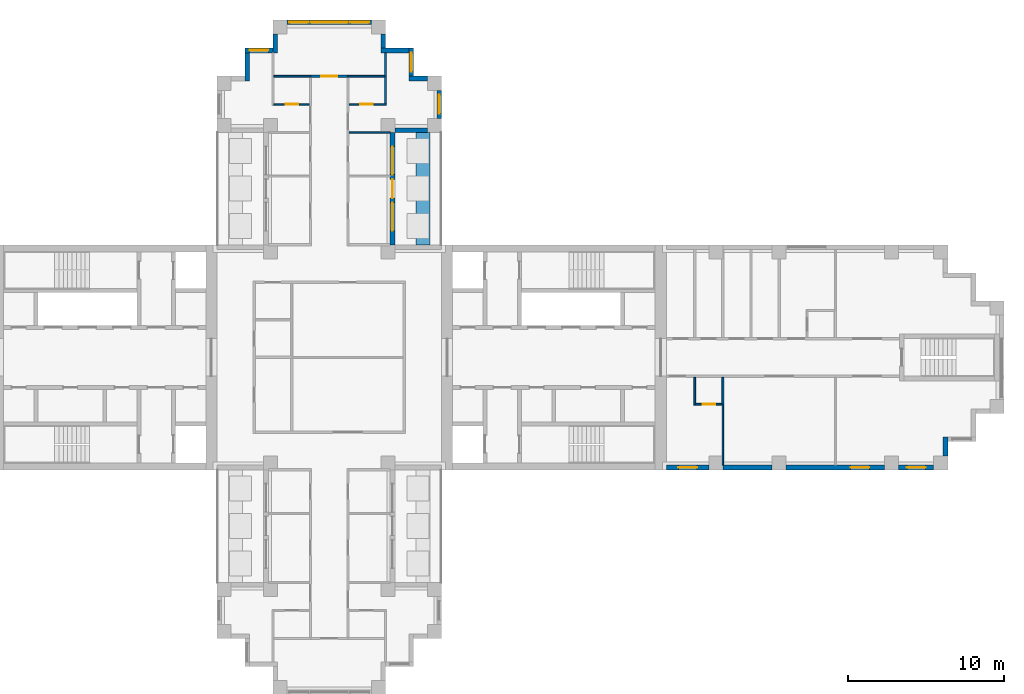
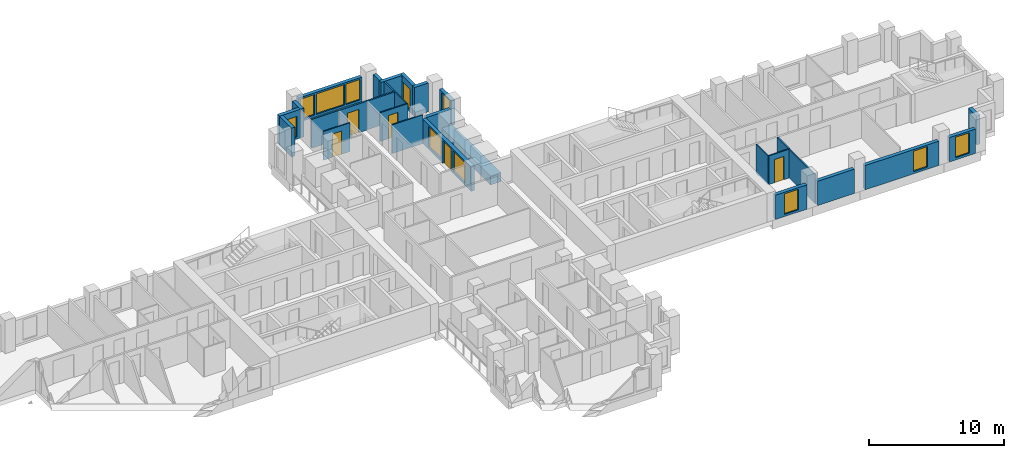
# One storey, part 8 of 12: 28 walls, 11 windows, 5 doors, 16 openings.
"""IFC4 building model written with IfcOpenShell, lengths in metres."""

from ifc_helpers import new_model, si_unit, direction, frame, frame_2d, origin, place, context, subcontext, project, spatial, rectangle, extrude, material, layer, layer_set, type_object, element, fill, save


model = new_model("IFC4")

# Units and contexts
model_context = context("Model", 3, precision=1e-05, world=origin(), true_north=direction((0.0, 1.0)))
body_context = subcontext(model_context, "Body", "Model", "MODEL_VIEW")
ifc_project = project(units=[si_unit("LENGTHUNIT", "METRE"), si_unit("AREAUNIT", "SQUARE_METRE"), si_unit("VOLUMEUNIT", "CUBIC_METRE"), si_unit("PLANEANGLEUNIT", "RADIAN"), si_unit("MASSUNIT", "GRAM", prefix="KILO")], contexts=[model_context])

# Site, building, storey
site_placement = place(None, origin())
site = spatial("IfcSite", under=ifc_project, at=site_placement, CompositionType="ELEMENT")
building_placement = place(site_placement, origin())
building = spatial("IfcBuilding", under=site, at=building_placement, Name="Fustian Cross Tower", CompositionType="ELEMENT")
storey_placement = place(building_placement, frame((0.0, 0.0, 147.300048828125)))
storey = spatial("IfcBuildingStorey", under=building, at=storey_placement, Name="L46", CompositionType="ELEMENT", Elevation=147.300048828125)

# Wall, opening, door
ifc_material_1 = material(Name="Plasterboard on steel stud", Category="steel")
ifc_layer_1 = layer(ifc_material_1, 0.14990234375)
ifc_layer_set_1 = layer_set([ifc_layer_1], Name="Plasterboard on steel stud")
wall_type_1 = type_object("IfcWallType", Name="COMPARTMENT WALL 150 EI 60", PredefinedType="PARTITIONING", material=ifc_layer_set_1)
wall_1_placement = place(storey_placement, frame((-1.199951171875, 18.0, 0.0), z_axis=(0.0, 0.0, 1.0), x_axis=(1.0, 0.0, 0.0)))
wall_1 = element("IfcWall", 1, at=wall_1_placement, inside=storey, type_object=wall_type_1, Name="Partition 39", PredefinedType="PARTITIONING", context=body_context, shape_type="SweptSolid", body=[
    extrude(rectangle(XDim=2.39990234375, YDim=0.14990234375, at=frame_2d((1.199951171875, 0.0))), origin(), (0.0, 0.0, 1.0), 2.599853515625),
])
opening_1_placement = place(wall_1_placement, frame((0.699951171875, 0.0, 0.0)))
opening_1 = element("IfcOpeningElement", 2, at=opening_1_placement, cuts=wall_1, Name="Opening D21017", PredefinedType="OPENING", context=body_context, shape_type="SweptSolid", body=[
    extrude(rectangle(XDim=1.0, YDim=2.10009765625, at=frame_2d((0.5, 1.050048828125))), frame((0.0, 0.0849609375, 0.0), z_axis=(0.0, -1.0, 0.0), x_axis=(1.0, 0.0, 0.0)), (0.0, 0.0, 1.0), 0.169921875),
])
ifc_material_2 = material(Name="Timber fire door set", Category="wood")
door_type_1 = type_object("IfcDoorType", Name="FIRE SWING DOOR 1000 FD30S", OperationType="SINGLE_SWING_LEFT", PredefinedType="DOOR", material=ifc_material_2)
door_1_placement = place(opening_1_placement, origin())
door_1 = element("IfcDoor", 3, at=door_1_placement, inside=storey, type_object=door_type_1, Name="Door D21017", OperationType="SINGLE_SWING_LEFT", OverallHeight=2.10009765625, OverallWidth=1.0, PredefinedType="DOOR", context=body_context, shape_type="SweptSolid", body=[
    extrude(rectangle(XDim=1.0, YDim=2.10009765625, at=frame_2d((0.5, 1.050048828125))), frame((0.0, 0.02490234375, 0.0), z_axis=(0.0, -1.0, 0.0), x_axis=(1.0, 0.0, 0.0)), (0.0, 0.0, 1.0), 0.050048828125),
])
fill(opening_1, door_1)

ifc_material_3 = material(Name="Plasterboard on steel stud", Category="steel")
ifc_layer_2 = layer(ifc_material_3, 0.10009765625)
ifc_layer_set_2 = layer_set([ifc_layer_2], Name="Plasterboard on steel stud")
wall_type_2 = type_object("IfcWallType", Name="PARTITION 100 STUD", PredefinedType="PARTITIONING", material=ifc_layer_set_2)
wall_2_placement = place(storey_placement, frame((-3.550048828125, 16.199951171875, 0.0), z_axis=(0.0, 0.0, 1.0), x_axis=(1.0, 0.0, 0.0)))
wall_2 = element("IfcWall", 4, at=wall_2_placement, inside=storey, type_object=wall_type_2, Name="Partition 31", PredefinedType="PARTITIONING", context=body_context, shape_type="SweptSolid", body=[
    extrude(rectangle(XDim=2.275146484375, YDim=0.10009765625, at=frame_2d((1.1376953125, 0.0))), origin(), (0.0, 0.0, 1.0), 2.599853515625),
])
opening_2_placement = place(wall_2_placement, frame((0.75, 0.0, 0.0)))
opening_2 = element("IfcOpeningElement", 5, at=opening_2_placement, cuts=wall_2, Name="Opening D21020", PredefinedType="OPENING", context=body_context, shape_type="SweptSolid", body=[
    extrude(rectangle(XDim=0.800048828125, YDim=2.10009765625, at=frame_2d((0.39990234375, 1.050048828125))), frame((0.0, 0.06005859375, 0.0), z_axis=(0.0, -1.0, 0.0), x_axis=(1.0, 0.0, 0.0)), (0.0, 0.0, 1.0), 0.1201171875),
])
ifc_material_4 = material(Name="Painted timber", Category="wood")
door_type_2 = type_object("IfcDoorType", Name="SWING DOOR 800", OperationType="SINGLE_SWING_LEFT", PredefinedType="DOOR", material=ifc_material_4)
door_2_placement = place(opening_2_placement, origin())
door_2 = element("IfcDoor", 6, at=door_2_placement, inside=storey, type_object=door_type_2, Name="Door D21020", OperationType="SINGLE_SWING_LEFT", OverallHeight=2.10009765625, OverallWidth=0.800048828125, PredefinedType="DOOR", context=body_context, shape_type="SweptSolid", body=[
    extrude(rectangle(XDim=0.800048828125, YDim=2.10009765625, at=frame_2d((0.39990234375, 1.050048828125))), frame((0.0, 0.02490234375, 0.0), z_axis=(0.0, -1.0, 0.0), x_axis=(1.0, 0.0, 0.0)), (0.0, 0.0, 1.0), 0.050048828125),
])
fill(opening_2, door_2)

# Wall
wall_3_placement = place(storey_placement, frame((1.27490234375, 14.39990234375, 0.0), z_axis=(0.0, 0.0, 1.0), x_axis=(1.0, 0.0, 0.0)))
element("IfcWall", 7, at=wall_3_placement, inside=storey, type_object=wall_type_2, Name="Partition 49", PredefinedType="PARTITIONING", context=body_context, shape_type="SweptSolid", body=[
    extrude(rectangle(XDim=2.625, YDim=0.10009765625, at=frame_2d((1.3125, 0.0))), origin(), (0.0, 0.0, 1.0), 2.599853515625),
])

# Wall, opening, door
wall_4_placement = place(storey_placement, frame((1.27490234375, 16.199951171875, 0.0), z_axis=(0.0, 0.0, 1.0), x_axis=(1.0, 0.0, 0.0)))
wall_4 = element("IfcWall", 8, at=wall_4_placement, inside=storey, type_object=wall_type_2, Name="Partition 50", PredefinedType="PARTITIONING", context=body_context, shape_type="SweptSolid", body=[
    extrude(rectangle(XDim=2.375, YDim=0.10009765625, at=frame_2d((1.1875, 0.0))), origin(), (0.0, 0.0, 1.0), 2.599853515625),
])
opening_3_placement = place(wall_4_placement, frame((0.72509765625, 0.0, 0.0)))
opening_3 = element("IfcOpeningElement", 9, at=opening_3_placement, cuts=wall_4, Name="Opening D21024", PredefinedType="OPENING", context=body_context, shape_type="SweptSolid", body=[
    extrude(rectangle(XDim=0.800048828125, YDim=2.10009765625, at=frame_2d((0.39990234375, 1.050048828125))), frame((0.0, 0.06005859375, 0.0), z_axis=(0.0, -1.0, 0.0), x_axis=(1.0, 0.0, 0.0)), (0.0, 0.0, 1.0), 0.1201171875),
])
door_3_placement = place(opening_3_placement, origin())
door_3 = element("IfcDoor", 10, at=door_3_placement, inside=storey, type_object=door_type_2, Name="Door D21024", OperationType="SINGLE_SWING_LEFT", OverallHeight=2.10009765625, OverallWidth=0.800048828125, PredefinedType="DOOR", context=body_context, shape_type="SweptSolid", body=[
    extrude(rectangle(XDim=0.800048828125, YDim=2.10009765625, at=frame_2d((0.39990234375, 1.050048828125))), frame((0.0, 0.02490234375, 0.0), z_axis=(0.0, -1.0, 0.0), x_axis=(1.0, 0.0, 0.0)), (0.0, 0.0, 1.0), 0.050048828125),
])
fill(opening_3, door_3)

# Walls
wall_5_placement = place(storey_placement, frame((3.60009765625, 16.25, 0.0), z_axis=(0.0, 0.0, 1.0), x_axis=(0.0, 1.0, 0.0)))
element("IfcWall", 11, at=wall_5_placement, inside=storey, type_object=wall_type_2, Name="Partition 53", PredefinedType="PARTITIONING", context=body_context, shape_type="SweptSolid", body=[
    extrude(rectangle(XDim=3.25, YDim=0.10009765625, at=frame_2d((1.625, 0.0))), origin(), (0.0, 0.0, 1.0), 2.599853515625),
])
wall_6_placement = place(storey_placement, frame((23.39990234375, -3.050048828125, 0.0), z_axis=(0.0, 0.0, 1.0), x_axis=(0.0, 1.0, 0.0)))
element("IfcWall", 12, at=wall_6_placement, inside=storey, type_object=wall_type_2, Name="Partition 57", PredefinedType="PARTITIONING", context=body_context, shape_type="SweptSolid", body=[
    extrude(rectangle(XDim=1.775146484375, YDim=0.10009765625, at=frame_2d((0.8876953125, 0.0))), origin(), (0.0, 0.0, 1.0), 2.599853515625),
])

# Wall, opening, door
wall_7_placement = place(storey_placement, frame((23.449951171875, -3.0, 0.0), z_axis=(0.0, 0.0, 1.0), x_axis=(1.0, 0.0, 0.0)))
wall_7 = element("IfcWall", 13, at=wall_7_placement, inside=storey, type_object=wall_type_2, Name="Partition 58", PredefinedType="PARTITIONING", context=body_context, shape_type="SweptSolid", body=[
    extrude(rectangle(XDim=1.6875, YDim=0.10009765625, at=frame_2d((0.84375, 0.0))), origin(), (0.0, 0.0, 1.0), 2.599853515625),
])
opening_4_placement = place(wall_7_placement, frame((0.449951171875, 0.0, 0.0)))
opening_4 = element("IfcOpeningElement", 14, at=opening_4_placement, cuts=wall_7, Name="Opening D21013", PredefinedType="OPENING", context=body_context, shape_type="SweptSolid", body=[
    extrude(rectangle(XDim=0.800048828125, YDim=2.10009765625, at=frame_2d((0.39990234375, 1.050048828125))), frame((0.0, 0.06005859375, 0.0), z_axis=(0.0, -1.0, 0.0), x_axis=(1.0, 0.0, 0.0)), (0.0, 0.0, 1.0), 0.1201171875),
])
door_4_placement = place(opening_4_placement, origin())
door_4 = element("IfcDoor", 15, at=door_4_placement, inside=storey, type_object=door_type_2, Name="Door D21013", OperationType="SINGLE_SWING_RIGHT", OverallHeight=2.10009765625, OverallWidth=0.800048828125, PredefinedType="DOOR", context=body_context, shape_type="SweptSolid", body=[
    extrude(rectangle(XDim=0.800048828125, YDim=2.10009765625, at=frame_2d((0.39990234375, 1.050048828125))), frame((0.0, 0.02490234375, 0.0), z_axis=(0.0, -1.0, 0.0), x_axis=(1.0, 0.0, 0.0)), (0.0, 0.0, 1.0), 0.050048828125),
])
fill(opening_4, door_4)

# Walls
wall_8_placement = place(storey_placement, frame((25.199951171875, -6.89990234375, 0.0), z_axis=(0.0, 0.0, 1.0), x_axis=(0.0, 1.0, 0.0)))
element("IfcWall", 16, at=wall_8_placement, inside=storey, type_object=wall_type_2, Name="Partition 60", PredefinedType="PARTITIONING", context=body_context, shape_type="SweptSolid", body=[
    extrude(rectangle(XDim=3.89990234375, YDim=0.10009765625, at=frame_2d((1.949951171875, 0.0))), origin(), (0.0, 0.0, 1.0), 2.599853515625),
])
ifc_material_5 = material(Name="Concrete C40/50", Category="concrete")
ifc_layer_3 = layer(ifc_material_5, 0.89990234375)
ifc_layer_set_3 = layer_set([ifc_layer_3], Name="Concrete C40/50")
wall_type_3 = type_object("IfcWallType", Name="PK1 PLANTER 900", PredefinedType="PARAPET", material=ifc_layer_set_3)
wall_9_placement = place(storey_placement, frame((6.0, 7.199951171875, 0.0), z_axis=(0.0, 0.0, 1.0), x_axis=(0.0, 1.0, 0.0)))
element("IfcWall", 17, at=wall_9_placement, inside=storey, type_object=wall_type_3, Name="PLANTER", PredefinedType="PARAPET", context=body_context, shape_type="SweptSolid", body=[
    extrude(rectangle(XDim=7.199951171875, YDim=0.89990234375, at=frame_2d((3.60009765625, 0.0))), origin(), (0.0, 0.0, 1.0), 0.800048828125),
])
ifc_material_6 = material(Name="Plasterboard on steel stud", Category="steel")
ifc_layer_4 = layer(ifc_material_6, 0.125)
ifc_layer_set_4 = layer_set([ifc_layer_4], Name="Plasterboard on steel stud")
wall_type_4 = type_object("IfcWallType", Name="WET WALL 125 STUD", PredefinedType="PARTITIONING", material=ifc_layer_set_4)
for number, where, z_axis, x_axis, name in (
    (18, (-3.550048828125, 18.0, 0.0), (0.0, 0.0, 1.0), (1.0, 0.0, 0.0), "Partition 32"),
    (19, (1.199951171875, 18.0, 0.0), (0.0, 0.0, 1.0), (1.0, 0.0, 0.0), "Partition 51"),
):
    element("IfcWall", number, at=place(storey_placement, frame(where, z_axis=z_axis, x_axis=x_axis)), inside=storey, type_object=wall_type_4, Name=name, PredefinedType="PARTITIONING", context=body_context, shape_type="SweptSolid", body=[
        extrude(rectangle(XDim=2.35009765625, YDim=0.125, at=frame_2d((1.175048828125, 0.0))), origin(), (0.0, 0.0, 1.0), 2.599853515625),
    ])
wall_10_placement = place(storey_placement, frame((25.199951171875, -3.0, 0.0), z_axis=(0.0, 0.0, 1.0), x_axis=(0.0, 1.0, 0.0)))
element("IfcWall", 20, at=wall_10_placement, inside=storey, type_object=wall_type_4, Name="Partition 61", PredefinedType="PARTITIONING", context=body_context, shape_type="SweptSolid", body=[
    extrude(rectangle(XDim=1.72509765625, YDim=0.125, at=frame_2d((0.862548828125, 0.0))), origin(), (0.0, 0.0, 1.0), 2.599853515625),
])

# Wall, opening, window
ifc_material_7 = material(Name="Dark aluminium cladding on insulated backing wall", Category="aluminium")
ifc_layer_5 = layer(ifc_material_7, 0.300048828125)
ifc_layer_set_5 = layer_set([ifc_layer_5], Name="Dark aluminium cladding on insulated backing wall")
wall_type_5 = type_object("IfcWallType", Name="XW1 EXTERNAL WALL 300", PredefinedType="SOLIDWALL", material=ifc_layer_set_5)
wall_11_placement = place(storey_placement, frame((21.60009765625, -7.050048828125, 0.0), z_axis=(0.0, 0.0, 1.0), x_axis=(1.0, 0.0, 0.0)))
wall_11 = element("IfcWall", 21, at=wall_11_placement, inside=storey, type_object=wall_type_5, Name="External wall", PredefinedType="SOLIDWALL", context=body_context, shape_type="SweptSolid", body=[
    extrude(rectangle(XDim=2.699951171875, YDim=0.300048828125, at=frame_2d((1.35009765625, 0.0))), origin(), (0.0, 0.0, 1.0), 2.199951171875),
])
opening_5_placement = place(wall_11_placement, frame((0.75, 0.0, 0.199951171875)))
opening_5 = element("IfcOpeningElement", 22, at=opening_5_placement, cuts=wall_11, Name="Opening WN3", PredefinedType="OPENING", context=body_context, shape_type="SweptSolid", body=[
    extrude(rectangle(XDim=1.199951171875, YDim=1.85009765625, at=frame_2d((0.60009765625, 0.925048828125))), frame((0.0, 0.159912109375, 0.0), z_axis=(0.0, -1.0, 0.0), x_axis=(1.0, 0.0, 0.0)), (0.0, 0.0, 1.0), 0.320068359375),
])
ifc_material_8 = material(Name="Dark anodised aluminium and double glazing", Category="aluminium")
window_type_1 = type_object("IfcWindowType", Name="WN3 WINDOW 1200X1850", PartitioningType="SINGLE_PANEL", PredefinedType="WINDOW", material=ifc_material_8)
window_1_placement = place(opening_5_placement, origin())
window_1 = element("IfcWindow", 23, at=window_1_placement, inside=storey, type_object=window_type_1, Name="Window", OverallHeight=1.85009765625, OverallWidth=1.199951171875, PartitioningType="SINGLE_PANEL", PredefinedType="WINDOW", context=body_context, shape_type="SweptSolid", body=[
    extrude(rectangle(XDim=1.199951171875, YDim=1.85009765625, at=frame_2d((0.60009765625, 0.925048828125))), frame((0.0, 0.030029296875, 0.0), z_axis=(0.0, -1.0, 0.0), x_axis=(1.0, 0.0, 0.0)), (0.0, 0.0, 1.0), 0.06005859375),
])
fill(opening_5, window_1)

# Wall
wall_12_placement = place(storey_placement, frame((25.199951171875, -7.050048828125, 0.0), z_axis=(0.0, 0.0, 1.0), x_axis=(1.0, 0.0, 0.0)))
element("IfcWall", 24, at=wall_12_placement, inside=storey, type_object=wall_type_5, Name="External wall", PredefinedType="SOLIDWALL", context=body_context, shape_type="SweptSolid", body=[
    extrude(rectangle(XDim=3.150146484375, YDim=0.300048828125, at=frame_2d((1.5751953125, 0.0))), origin(), (0.0, 0.0, 1.0), 2.199951171875),
])

# Wall, opening, window
wall_13_placement = place(storey_placement, frame((29.25, -7.050048828125, 0.0), z_axis=(0.0, 0.0, 1.0), x_axis=(1.0, 0.0, 0.0)))
wall_13 = element("IfcWall", 25, at=wall_13_placement, inside=storey, type_object=wall_type_5, Name="External wall", PredefinedType="SOLIDWALL", context=body_context, shape_type="SweptSolid", body=[
    extrude(rectangle(XDim=6.300048828125, YDim=0.300048828125, at=frame_2d((3.14990234375, 0.0))), origin(), (0.0, 0.0, 1.0), 2.199951171875),
])
opening_6_placement = place(wall_13_placement, frame((4.125, 0.0, 0.199951171875)))
opening_6 = element("IfcOpeningElement", 26, at=opening_6_placement, cuts=wall_13, Name="Opening WN3", PredefinedType="OPENING", context=body_context, shape_type="SweptSolid", body=[
    extrude(rectangle(XDim=1.199951171875, YDim=1.85009765625, at=frame_2d((0.60009765625, 0.925048828125))), frame((0.0, 0.159912109375, 0.0), z_axis=(0.0, -1.0, 0.0), x_axis=(1.0, 0.0, 0.0)), (0.0, 0.0, 1.0), 0.320068359375),
])
window_2_placement = place(opening_6_placement, origin())
window_2 = element("IfcWindow", 27, at=window_2_placement, inside=storey, type_object=window_type_1, Name="Window", OverallHeight=1.85009765625, OverallWidth=1.199951171875, PartitioningType="SINGLE_PANEL", PredefinedType="WINDOW", context=body_context, shape_type="SweptSolid", body=[
    extrude(rectangle(XDim=1.199951171875, YDim=1.85009765625, at=frame_2d((0.60009765625, 0.925048828125))), frame((0.0, 0.030029296875, 0.0), z_axis=(0.0, -1.0, 0.0), x_axis=(1.0, 0.0, 0.0)), (0.0, 0.0, 1.0), 0.06005859375),
])
fill(opening_6, window_2)

wall_14_placement = place(storey_placement, frame((36.449951171875, -7.050048828125, 0.0), z_axis=(0.0, 0.0, 1.0), x_axis=(1.0, 0.0, 0.0)))
wall_14 = element("IfcWall", 28, at=wall_14_placement, inside=storey, type_object=wall_type_5, Name="External wall", PredefinedType="SOLIDWALL", context=body_context, shape_type="SweptSolid", body=[
    extrude(rectangle(XDim=2.25, YDim=0.300048828125, at=frame_2d((1.125, 0.0))), origin(), (0.0, 0.0, 1.0), 2.199951171875),
])
opening_7_placement = place(wall_14_placement, frame((0.52490234375, 0.0, 0.199951171875)))
opening_7 = element("IfcOpeningElement", 29, at=opening_7_placement, cuts=wall_14, Name="Opening WN3", PredefinedType="OPENING", context=body_context, shape_type="SweptSolid", body=[
    extrude(rectangle(XDim=1.199951171875, YDim=1.85009765625, at=frame_2d((0.60009765625, 0.925048828125))), frame((0.0, 0.159912109375, 0.0), z_axis=(0.0, -1.0, 0.0), x_axis=(1.0, 0.0, 0.0)), (0.0, 0.0, 1.0), 0.320068359375),
])
window_3_placement = place(opening_7_placement, origin())
window_3 = element("IfcWindow", 30, at=window_3_placement, inside=storey, type_object=window_type_1, Name="Window", OverallHeight=1.85009765625, OverallWidth=1.199951171875, PartitioningType="SINGLE_PANEL", PredefinedType="WINDOW", context=body_context, shape_type="SweptSolid", body=[
    extrude(rectangle(XDim=1.199951171875, YDim=1.85009765625, at=frame_2d((0.60009765625, 0.925048828125))), frame((0.0, 0.030029296875, 0.0), z_axis=(0.0, -1.0, 0.0), x_axis=(1.0, 0.0, 0.0)), (0.0, 0.0, 1.0), 0.06005859375),
])
fill(opening_7, window_3)

# Wall
wall_15_placement = place(storey_placement, frame((39.449951171875, -6.300048828125, 0.0), z_axis=(0.0, 0.0, 1.0), x_axis=(0.0, 1.0, 0.0)))
element("IfcWall", 31, at=wall_15_placement, inside=storey, type_object=wall_type_5, Name="External wall", PredefinedType="SOLIDWALL", context=body_context, shape_type="SweptSolid", body=[
    extrude(rectangle(XDim=1.199951171875, YDim=0.300048828125, at=frame_2d((0.60009765625, 0.0))), origin(), (0.0, 0.0, 1.0), 2.599853515625),
])

# Wall, openings, door, windows
wall_16_placement = place(storey_placement, frame((4.050048828125, 7.199951171875, 0.0), z_axis=(0.0, 0.0, 1.0), x_axis=(0.0, 1.0, 0.0)))
wall_16 = element("IfcWall", 32, at=wall_16_placement, inside=storey, type_object=wall_type_5, Name="External wall", PredefinedType="SOLIDWALL", context=body_context, shape_type="SweptSolid", body=[
    extrude(rectangle(XDim=7.199951171875, YDim=0.300048828125, at=frame_2d((3.60009765625, 0.0))), origin(), (0.0, 0.0, 1.0), 2.199951171875),
])
opening_8_placement = place(wall_16_placement, frame((3.0, 0.0, 0.0)))
opening_8 = element("IfcOpeningElement", 33, at=opening_8_placement, cuts=wall_16, Name="Opening XD1", PredefinedType="OPENING", context=body_context, shape_type="SweptSolid", body=[
    extrude(rectangle(XDim=1.199951171875, YDim=2.050048828125, at=frame_2d((0.60009765625, 1.02490234375))), frame((0.0, 0.159912109375, 0.0), z_axis=(0.0, -1.0, 0.0), x_axis=(1.0, 0.0, 0.0)), (0.0, 0.0, 1.0), 0.320068359375),
])
opening_9_placement = place(wall_16_placement, frame((0.89990234375, 0.0, 0.199951171875)))
opening_9 = element("IfcOpeningElement", 34, at=opening_9_placement, cuts=wall_16, Name="Opening WN2", PredefinedType="OPENING", context=body_context, shape_type="SweptSolid", body=[
    extrude(rectangle(XDim=1.800048828125, YDim=1.85009765625, at=frame_2d((0.89990234375, 0.925048828125))), frame((0.0, 0.159912109375, 0.0), z_axis=(0.0, -1.0, 0.0), x_axis=(1.0, 0.0, 0.0)), (0.0, 0.0, 1.0), 0.320068359375),
])
opening_10_placement = place(wall_16_placement, frame((4.5, 0.0, 0.199951171875)))
opening_10 = element("IfcOpeningElement", 35, at=opening_10_placement, cuts=wall_16, Name="Opening WN2", PredefinedType="OPENING", context=body_context, shape_type="SweptSolid", body=[
    extrude(rectangle(XDim=1.800048828125, YDim=1.85009765625, at=frame_2d((0.89990234375, 0.925048828125))), frame((0.0, 0.159912109375, 0.0), z_axis=(0.0, -1.0, 0.0), x_axis=(1.0, 0.0, 0.0)), (0.0, 0.0, 1.0), 0.320068359375),
])
ifc_material_9 = material(Name="Dark anodised aluminium and double glazing", Category="aluminium")
door_type_3 = type_object("IfcDoorType", Name="ED1 BALCONY DOOR 1200X2050", OperationType="SINGLE_SWING_LEFT", PredefinedType="DOOR", material=ifc_material_9)
door_5_placement = place(opening_8_placement, origin())
door_5 = element("IfcDoor", 36, at=door_5_placement, inside=storey, type_object=door_type_3, Name="Balcony door", OperationType="SINGLE_SWING_LEFT", OverallHeight=2.050048828125, OverallWidth=1.199951171875, PredefinedType="DOOR", context=body_context, shape_type="SweptSolid", body=[
    extrude(rectangle(XDim=1.199951171875, YDim=2.050048828125, at=frame_2d((0.60009765625, 1.02490234375))), frame((0.0, 0.02490234375, 0.0), z_axis=(0.0, -1.0, 0.0), x_axis=(1.0, 0.0, 0.0)), (0.0, 0.0, 1.0), 0.050048828125),
])
fill(opening_8, door_5)
ifc_material_10 = material(Name="Dark anodised aluminium and double glazing", Category="aluminium")
window_type_2 = type_object("IfcWindowType", Name="WN2 WINDOW 1800X1850", PartitioningType="SINGLE_PANEL", PredefinedType="WINDOW", material=ifc_material_10)
window_4_placement = place(opening_9_placement, origin())
window_4 = element("IfcWindow", 37, at=window_4_placement, inside=storey, type_object=window_type_2, Name="Window", OverallHeight=1.85009765625, OverallWidth=1.800048828125, PartitioningType="SINGLE_PANEL", PredefinedType="WINDOW", context=body_context, shape_type="SweptSolid", body=[
    extrude(rectangle(XDim=1.800048828125, YDim=1.85009765625, at=frame_2d((0.89990234375, 0.925048828125))), frame((0.0, 0.030029296875, 0.0), z_axis=(0.0, -1.0, 0.0), x_axis=(1.0, 0.0, 0.0)), (0.0, 0.0, 1.0), 0.06005859375),
])
fill(opening_9, window_4)
window_5_placement = place(opening_10_placement, origin())
window_5 = element("IfcWindow", 38, at=window_5_placement, inside=storey, type_object=window_type_2, Name="Window", OverallHeight=1.85009765625, OverallWidth=1.800048828125, PartitioningType="SINGLE_PANEL", PredefinedType="WINDOW", context=body_context, shape_type="SweptSolid", body=[
    extrude(rectangle(XDim=1.800048828125, YDim=1.85009765625, at=frame_2d((0.89990234375, 0.925048828125))), frame((0.0, 0.030029296875, 0.0), z_axis=(0.0, -1.0, 0.0), x_axis=(1.0, 0.0, 0.0)), (0.0, 0.0, 1.0), 0.06005859375),
])
fill(opening_10, window_5)

# Wall
wall_17_placement = place(storey_placement, frame((4.199951171875, 14.550048828125, 0.0), z_axis=(0.0, 0.0, 1.0), x_axis=(1.0, 0.0, 0.0)))
element("IfcWall", 39, at=wall_17_placement, inside=storey, type_object=wall_type_5, Name="External wall", PredefinedType="SOLIDWALL", context=body_context, shape_type="SweptSolid", body=[
    extrude(rectangle(XDim=2.10009765625, YDim=0.300048828125, at=frame_2d((1.050048828125, 0.0))), origin(), (0.0, 0.0, 1.0), 2.199951171875),
])

# Wall, opening, window
wall_18_placement = place(storey_placement, frame((7.050048828125, 15.300048828125, 0.0), z_axis=(0.0, 0.0, 1.0), x_axis=(0.0, 1.0, 0.0)))
wall_18 = element("IfcWall", 40, at=wall_18_placement, inside=storey, type_object=wall_type_5, Name="External wall", PredefinedType="SOLIDWALL", context=body_context, shape_type="SweptSolid", body=[
    extrude(rectangle(XDim=1.800048828125, YDim=0.300048828125, at=frame_2d((0.89990234375, 0.0))), origin(), (0.0, 0.0, 1.0), 2.199951171875),
])
opening_11_placement = place(wall_18_placement, frame((0.300048828125, 0.0, 0.199951171875)))
opening_11 = element("IfcOpeningElement", 41, at=opening_11_placement, cuts=wall_18, Name="Opening WN3", PredefinedType="OPENING", context=body_context, shape_type="SweptSolid", body=[
    extrude(rectangle(XDim=1.199951171875, YDim=1.85009765625, at=frame_2d((0.60009765625, 0.925048828125))), frame((0.0, 0.159912109375, 0.0), z_axis=(0.0, -1.0, 0.0), x_axis=(1.0, 0.0, 0.0)), (0.0, 0.0, 1.0), 0.320068359375),
])
window_6_placement = place(opening_11_placement, origin())
window_6 = element("IfcWindow", 42, at=window_6_placement, inside=storey, type_object=window_type_1, Name="Window", OverallHeight=1.85009765625, OverallWidth=1.199951171875, PartitioningType="SINGLE_PANEL", PredefinedType="WINDOW", context=body_context, shape_type="SweptSolid", body=[
    extrude(rectangle(XDim=1.199951171875, YDim=1.85009765625, at=frame_2d((0.60009765625, 0.925048828125))), frame((0.0, 0.030029296875, 0.0), z_axis=(0.0, -1.0, 0.0), x_axis=(1.0, 0.0, 0.0)), (0.0, 0.0, 1.0), 0.06005859375),
])
fill(opening_11, window_6)

# Wall
wall_19_placement = place(storey_placement, frame((6.300048828125, 17.85009765625, 0.0), z_axis=(0.0, 0.0, 1.0), x_axis=(-1.0, 0.0, 0.0)))
element("IfcWall", 43, at=wall_19_placement, inside=storey, type_object=wall_type_5, Name="External wall", PredefinedType="SOLIDWALL", context=body_context, shape_type="SweptSolid", body=[
    extrude(rectangle(XDim=1.199951171875, YDim=0.300048828125, at=frame_2d((0.60009765625, 0.0))), origin(), (0.0, 0.0, 1.0), 2.599853515625),
])

# Wall, opening, window
wall_20_placement = place(storey_placement, frame((5.25, 18.0, 0.0), z_axis=(0.0, 0.0, 1.0), x_axis=(0.0, 1.0, 0.0)))
wall_20 = element("IfcWall", 44, at=wall_20_placement, inside=storey, type_object=wall_type_5, Name="External wall", PredefinedType="SOLIDWALL", context=body_context, shape_type="SweptSolid", body=[
    extrude(rectangle(XDim=1.800048828125, YDim=0.300048828125, at=frame_2d((0.89990234375, 0.0))), origin(), (0.0, 0.0, 1.0), 2.599853515625),
])
opening_12_placement = place(wall_20_placement, frame((0.300048828125, 0.0, 0.199951171875)))
opening_12 = element("IfcOpeningElement", 45, at=opening_12_placement, cuts=wall_20, Name="Opening WN3", PredefinedType="OPENING", context=body_context, shape_type="SweptSolid", body=[
    extrude(rectangle(XDim=1.199951171875, YDim=1.85009765625, at=frame_2d((0.60009765625, 0.925048828125))), frame((0.0, 0.159912109375, 0.0), z_axis=(0.0, -1.0, 0.0), x_axis=(1.0, 0.0, 0.0)), (0.0, 0.0, 1.0), 0.320068359375),
])
window_7_placement = place(opening_12_placement, origin())
window_7 = element("IfcWindow", 46, at=window_7_placement, inside=storey, type_object=window_type_1, Name="Window", OverallHeight=1.85009765625, OverallWidth=1.199951171875, PartitioningType="SINGLE_PANEL", PredefinedType="WINDOW", context=body_context, shape_type="SweptSolid", body=[
    extrude(rectangle(XDim=1.199951171875, YDim=1.85009765625, at=frame_2d((0.60009765625, 0.925048828125))), frame((0.0, 0.030029296875, 0.0), z_axis=(0.0, -1.0, 0.0), x_axis=(1.0, 0.0, 0.0)), (0.0, 0.0, 1.0), 0.06005859375),
])
fill(opening_12, window_7)

# Walls
wall_21_placement = place(storey_placement, frame((5.10009765625, 19.64990234375, 0.0), z_axis=(0.0, 0.0, 1.0), x_axis=(-1.0, 0.0, 0.0)))
element("IfcWall", 47, at=wall_21_placement, inside=storey, type_object=wall_type_5, Name="External wall", PredefinedType="SOLIDWALL", context=body_context, shape_type="SweptSolid", body=[
    extrude(rectangle(XDim=1.800048828125, YDim=0.300048828125, at=frame_2d((0.89990234375, 0.0))), origin(), (0.0, 0.0, 1.0), 2.599853515625),
])
wall_22_placement = place(storey_placement, frame((3.449951171875, 19.800048828125, 0.0), z_axis=(0.0, 0.0, 1.0), x_axis=(0.0, 1.0, 0.0)))
element("IfcWall", 48, at=wall_22_placement, inside=storey, type_object=wall_type_5, Name="External wall", PredefinedType="SOLIDWALL", context=body_context, shape_type="SweptSolid", body=[
    extrude(rectangle(XDim=0.89990234375, YDim=0.300048828125, at=frame_2d((0.449951171875, 0.0))), origin(), (0.0, 0.0, 1.0), 2.599853515625),
])

# Wall, openings, windows
wall_23_placement = place(storey_placement, frame((2.699951171875, 21.449951171875, 0.0), z_axis=(0.0, 0.0, 1.0), x_axis=(-1.0, 0.0, 0.0)))
wall_23 = element("IfcWall", 49, at=wall_23_placement, inside=storey, type_object=wall_type_5, Name="External wall", PredefinedType="SOLIDWALL", context=body_context, shape_type="SweptSolid", body=[
    extrude(rectangle(XDim=5.39990234375, YDim=0.300048828125, at=frame_2d((2.699951171875, 0.0))), origin(), (0.0, 0.0, 1.0), 2.199951171875),
])
opening_13_placement = place(wall_23_placement, frame((1.5, 0.0, 0.199951171875)))
opening_13 = element("IfcOpeningElement", 50, at=opening_13_placement, cuts=wall_23, Name="Opening WN1", PredefinedType="OPENING", context=body_context, shape_type="SweptSolid", body=[
    extrude(rectangle(XDim=2.39990234375, YDim=1.85009765625, at=frame_2d((1.199951171875, 0.925048828125))), frame((0.0, 0.159912109375, 0.0), z_axis=(0.0, -1.0, 0.0), x_axis=(1.0, 0.0, 0.0)), (0.0, 0.0, 1.0), 0.320068359375),
])
opening_14_placement = place(wall_23_placement, frame((0.14990234375, 0.0, 0.199951171875)))
opening_14 = element("IfcOpeningElement", 51, at=opening_14_placement, cuts=wall_23, Name="Opening WN3", PredefinedType="OPENING", context=body_context, shape_type="SweptSolid", body=[
    extrude(rectangle(XDim=1.199951171875, YDim=1.85009765625, at=frame_2d((0.60009765625, 0.925048828125))), frame((0.0, 0.159912109375, 0.0), z_axis=(0.0, -1.0, 0.0), x_axis=(1.0, 0.0, 0.0)), (0.0, 0.0, 1.0), 0.320068359375),
])
opening_15_placement = place(wall_23_placement, frame((4.050048828125, 0.0, 0.199951171875)))
opening_15 = element("IfcOpeningElement", 52, at=opening_15_placement, cuts=wall_23, Name="Opening WN3", PredefinedType="OPENING", context=body_context, shape_type="SweptSolid", body=[
    extrude(rectangle(XDim=1.199951171875, YDim=1.85009765625, at=frame_2d((0.60009765625, 0.925048828125))), frame((0.0, 0.159912109375, 0.0), z_axis=(0.0, -1.0, 0.0), x_axis=(1.0, 0.0, 0.0)), (0.0, 0.0, 1.0), 0.320068359375),
])
ifc_material_11 = material(Name="Dark anodised aluminium and double glazing", Category="aluminium")
window_type_3 = type_object("IfcWindowType", Name="WN1 WINDOW 2400X1850", PartitioningType="SINGLE_PANEL", PredefinedType="WINDOW", material=ifc_material_11)
window_8_placement = place(opening_13_placement, origin())
window_8 = element("IfcWindow", 53, at=window_8_placement, inside=storey, type_object=window_type_3, Name="Window", OverallHeight=1.85009765625, OverallWidth=2.39990234375, PartitioningType="SINGLE_PANEL", PredefinedType="WINDOW", context=body_context, shape_type="SweptSolid", body=[
    extrude(rectangle(XDim=2.39990234375, YDim=1.85009765625, at=frame_2d((1.199951171875, 0.925048828125))), frame((0.0, 0.030029296875, 0.0), z_axis=(0.0, -1.0, 0.0), x_axis=(1.0, 0.0, 0.0)), (0.0, 0.0, 1.0), 0.06005859375),
])
fill(opening_13, window_8)
window_9_placement = place(opening_14_placement, origin())
window_9 = element("IfcWindow", 54, at=window_9_placement, inside=storey, type_object=window_type_1, Name="Window", OverallHeight=1.85009765625, OverallWidth=1.199951171875, PartitioningType="SINGLE_PANEL", PredefinedType="WINDOW", context=body_context, shape_type="SweptSolid", body=[
    extrude(rectangle(XDim=1.199951171875, YDim=1.85009765625, at=frame_2d((0.60009765625, 0.925048828125))), frame((0.0, 0.030029296875, 0.0), z_axis=(0.0, -1.0, 0.0), x_axis=(1.0, 0.0, 0.0)), (0.0, 0.0, 1.0), 0.06005859375),
])
fill(opening_14, window_9)
window_10_placement = place(opening_15_placement, origin())
window_10 = element("IfcWindow", 55, at=window_10_placement, inside=storey, type_object=window_type_1, Name="Window", OverallHeight=1.85009765625, OverallWidth=1.199951171875, PartitioningType="SINGLE_PANEL", PredefinedType="WINDOW", context=body_context, shape_type="SweptSolid", body=[
    extrude(rectangle(XDim=1.199951171875, YDim=1.85009765625, at=frame_2d((0.60009765625, 0.925048828125))), frame((0.0, 0.030029296875, 0.0), z_axis=(0.0, -1.0, 0.0), x_axis=(1.0, 0.0, 0.0)), (0.0, 0.0, 1.0), 0.06005859375),
])
fill(opening_15, window_10)

# Wall
wall_24_placement = place(storey_placement, frame((-3.449951171875, 20.699951171875, 0.0), z_axis=(0.0, 0.0, 1.0), x_axis=(0.0, -1.0, 0.0)))
element("IfcWall", 56, at=wall_24_placement, inside=storey, type_object=wall_type_5, Name="External wall", PredefinedType="SOLIDWALL", context=body_context, shape_type="SweptSolid", body=[
    extrude(rectangle(XDim=1.199951171875, YDim=0.300048828125, at=frame_2d((0.60009765625, 0.0))), origin(), (0.0, 0.0, 1.0), 2.599853515625),
])

# Wall, opening, window
wall_25_placement = place(storey_placement, frame((-3.60009765625, 19.64990234375, 0.0), z_axis=(0.0, 0.0, 1.0), x_axis=(-1.0, 0.0, 0.0)))
wall_25 = element("IfcWall", 57, at=wall_25_placement, inside=storey, type_object=wall_type_5, Name="External wall", PredefinedType="SOLIDWALL", context=body_context, shape_type="SweptSolid", body=[
    extrude(rectangle(XDim=1.7998046875, YDim=0.300048828125, at=frame_2d((0.89990234375, 0.0))), origin(), (0.0, 0.0, 1.0), 2.599853515625),
])
opening_16_placement = place(wall_25_placement, frame((0.300048828125, 0.0, 0.199951171875)))
opening_16 = element("IfcOpeningElement", 58, at=opening_16_placement, cuts=wall_25, Name="Opening WN3", PredefinedType="OPENING", context=body_context, shape_type="SweptSolid", body=[
    extrude(rectangle(XDim=1.199951171875, YDim=1.85009765625, at=frame_2d((0.60009765625, 0.925048828125))), frame((0.0, 0.159912109375, 0.0), z_axis=(0.0, -1.0, 0.0), x_axis=(1.0, 0.0, 0.0)), (0.0, 0.0, 1.0), 0.320068359375),
])
window_11_placement = place(opening_16_placement, origin())
window_11 = element("IfcWindow", 59, at=window_11_placement, inside=storey, type_object=window_type_1, Name="Window", OverallHeight=1.85009765625, OverallWidth=1.199951171875, PartitioningType="SINGLE_PANEL", PredefinedType="WINDOW", context=body_context, shape_type="SweptSolid", body=[
    extrude(rectangle(XDim=1.199951171875, YDim=1.85009765625, at=frame_2d((0.60009765625, 0.925048828125))), frame((0.0, 0.030029296875, 0.0), z_axis=(0.0, -1.0, 0.0), x_axis=(1.0, 0.0, 0.0)), (0.0, 0.0, 1.0), 0.06005859375),
])
fill(opening_16, window_11)

# Wall
wall_26_placement = place(storey_placement, frame((-5.25, 19.5, 0.0), z_axis=(0.0, 0.0, 1.0), x_axis=(0.0, -1.0, 0.0)))
element("IfcWall", 60, at=wall_26_placement, inside=storey, type_object=wall_type_5, Name="External wall", PredefinedType="SOLIDWALL", context=body_context, shape_type="SweptSolid", body=[
    extrude(rectangle(XDim=1.800048828125, YDim=0.300048828125, at=frame_2d((0.89990234375, 0.0))), origin(), (0.0, 0.0, 1.0), 2.599853515625),
])

save(model, "model.ifc")
